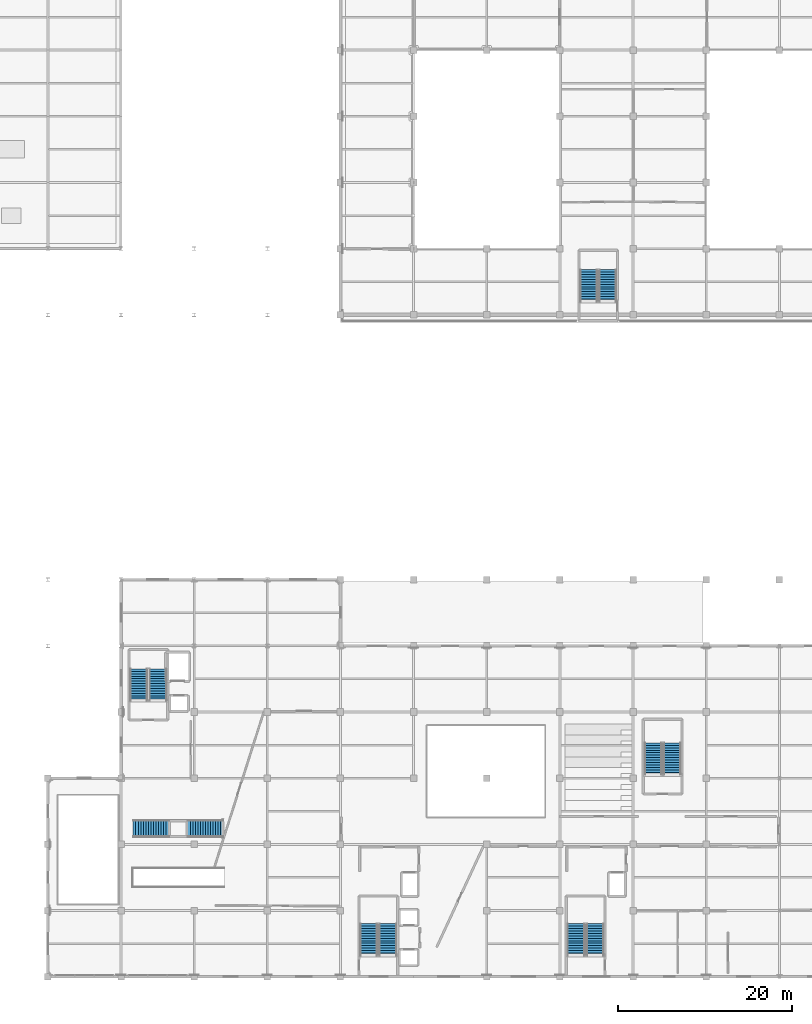
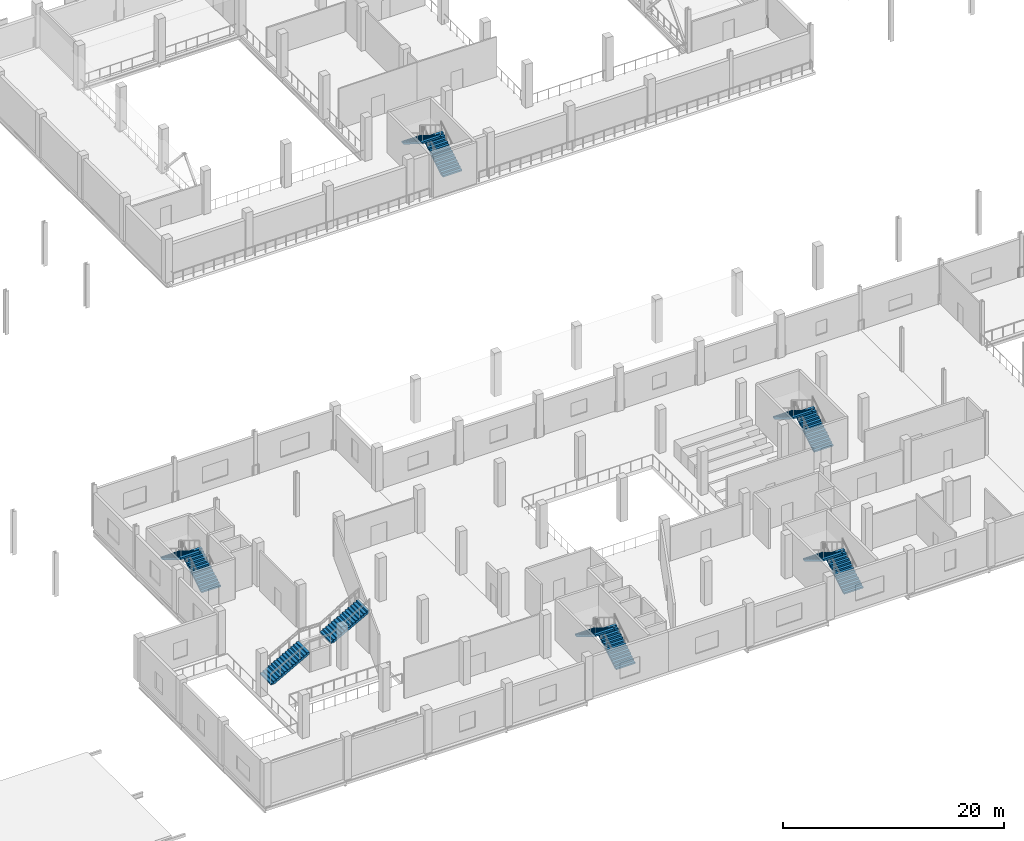
# One storey, part 31 of 51: 12 stair flights, 6 elements without a shape of their own.
"""IFC4 building model written with IfcOpenShell, lengths in metres."""

from ifc_helpers import new_model, si_unit, direction, frame, origin, place, context, subcontext, project, spatial, polyline, outline, extrude, material, type_object, element, aggregate, save


model = new_model("IFC4")

# Units and contexts
model_context = context("Model", 3, precision=1e-05, world=origin(), true_north=direction((0.0, 1.0)))
body_context = subcontext(model_context, "Body", "Model", "MODEL_VIEW")
ifc_project = project(units=[si_unit("LENGTHUNIT", "METRE"), si_unit("AREAUNIT", "SQUARE_METRE"), si_unit("VOLUMEUNIT", "CUBIC_METRE"), si_unit("PLANEANGLEUNIT", "RADIAN"), si_unit("MASSUNIT", "GRAM", prefix="KILO")], contexts=[model_context])

# Site, building, storey
site_placement = place(None, origin())
site = spatial("IfcSite", under=ifc_project, at=site_placement, CompositionType="ELEMENT")
building_placement = place(site_placement, origin())
building = spatial("IfcBuilding", under=site, at=building_placement, Name="Zuvorla Pavilion Media Centre", CompositionType="ELEMENT")
storey_placement = place(building_placement, frame((0.0, 0.0, 4.800048828125)))
storey = spatial("IfcBuildingStorey", under=building, at=storey_placement, Name="L01", CompositionType="ELEMENT", Elevation=4.800048828125)

# Stair, stair flights
ifc_material_1 = material(Name="Concrete C40/50", Category="concrete")
stair_type_1 = type_object("IfcStairType", Name="STR-DOG-480", PredefinedType="TWO_STRAIGHT_RUN_STAIR", material=ifc_material_1)
stair_1_placement = place(storey_placement, origin())
stair_1 = element("IfcStair", 1, at=stair_1_placement, inside=storey, type_object=stair_type_1, Name="L01 exit stair ST-01", PredefinedType="TWO_STRAIGHT_RUN_STAIR")
stair_flight_type_1 = type_object("IfcStairFlightType", Name="FLT-DOG-480", PredefinedType="STRAIGHT", material=ifc_material_1)
stair_flight_1_placement = place(storey_placement, frame((72.25, 8.449951171875, 0.0), z_axis=(0.0, 0.0, 1.0), x_axis=(0.0, 1.0, 0.0)))
stair_flight_1 = element("IfcStairFlight", 2, at=stair_flight_1_placement, type_object=stair_flight_type_1, Name="ST-01 flight 1", NumberOfRisers=14, NumberOfTreads=13, PredefinedType="STRAIGHT", RiserHeight=0.171428571, TreadLength=0.28, context=body_context, shape_type="SweptSolid", body=[
    extrude(outline(polyline([(0.0, 0.0), (0.0, 0.17138671875), (0.280029296875, 0.17138671875), (0.280029296875, 0.3427734375), (0.56005859375, 0.3427734375), (0.56005859375, 0.514404296875), (0.840087890625, 0.514404296875), (0.840087890625, 0.685791015625), (1.1201171875, 0.685791015625), (1.1201171875, 0.857177734375), (1.39990234375, 0.857177734375), (1.39990234375, 1.028564453125), (1.679931640625, 1.028564453125), (1.679931640625, 1.199951171875), (1.9599609375, 1.199951171875), (1.9599609375, 1.371337890625), (2.239990234375, 1.371337890625), (2.239990234375, 1.54296875), (2.52001953125, 1.54296875), (2.52001953125, 1.71435546875), (2.800048828125, 1.71435546875), (2.800048828125, 1.8857421875), (3.080078125, 1.8857421875), (3.080078125, 2.05712890625), (3.360107421875, 2.05712890625), (3.360107421875, 2.228515625), (3.639892578125, 2.228515625), (3.639892578125, 2.39990234375), (3.639892578125, 2.041015625), (0.30615234375, 0.0), (0.0, 0.0)])), frame((0.0, 1.0, 0.0), z_axis=(0.0, -1.0, 0.0), x_axis=(1.0, 0.0, 0.0)), (0.0, 0.0, 1.0), 2.0),
])
stair_flight_2_placement = place(storey_placement, frame((70.050048828125, 12.090087890625, 2.39990234375), z_axis=(0.0, 0.0, 1.0), x_axis=(0.0, -1.0, 0.0)))
stair_flight_2 = element("IfcStairFlight", 3, at=stair_flight_2_placement, type_object=stair_flight_type_1, Name="ST-01 flight 2", NumberOfRisers=14, NumberOfTreads=13, PredefinedType="STRAIGHT", RiserHeight=0.171428571, TreadLength=0.28, context=body_context, shape_type="SweptSolid", body=[
    extrude(outline(polyline([(0.0, 0.0), (0.0, 0.17138671875), (0.280029296875, 0.17138671875), (0.280029296875, 0.3427734375), (0.56005859375, 0.3427734375), (0.56005859375, 0.514404296875), (0.840087890625, 0.514404296875), (0.840087890625, 0.685791015625), (1.1201171875, 0.685791015625), (1.1201171875, 0.857177734375), (1.39990234375, 0.857177734375), (1.39990234375, 1.028564453125), (1.679931640625, 1.028564453125), (1.679931640625, 1.199951171875), (1.9599609375, 1.199951171875), (1.9599609375, 1.371337890625), (2.239990234375, 1.371337890625), (2.239990234375, 1.54296875), (2.52001953125, 1.54296875), (2.52001953125, 1.71435546875), (2.800048828125, 1.71435546875), (2.800048828125, 1.8857421875), (3.080078125, 1.8857421875), (3.080078125, 2.05712890625), (3.360107421875, 2.05712890625), (3.360107421875, 2.228515625), (3.639892578125, 2.228515625), (3.639892578125, 2.39990234375), (3.639892578125, 2.041015625), (0.30615234375, 0.0), (0.0, 0.0)])), frame((0.0, 1.0, 0.0), z_axis=(0.0, -1.0, 0.0), x_axis=(1.0, 0.0, 0.0)), (0.0, 0.0, 1.0), 2.0),
])
aggregate(stair_1, [stair_flight_1, stair_flight_2])

stair_2_placement = place(storey_placement, origin())
stair_2 = element("IfcStair", 4, at=stair_2_placement, inside=storey, type_object=stair_type_1, Name="L01 exit stair ST-02", PredefinedType="TWO_STRAIGHT_RUN_STAIR")
stair_flight_3_placement = place(storey_placement, frame((96.050048828125, 8.449951171875, 0.0), z_axis=(0.0, 0.0, 1.0), x_axis=(0.0, 1.0, 0.0)))
stair_flight_3 = element("IfcStairFlight", 5, at=stair_flight_3_placement, type_object=stair_flight_type_1, Name="ST-02 flight 1", NumberOfRisers=14, NumberOfTreads=13, PredefinedType="STRAIGHT", RiserHeight=0.171428571, TreadLength=0.28, context=body_context, shape_type="SweptSolid", body=[
    extrude(outline(polyline([(0.0, 0.0), (0.0, 0.17138671875), (0.280029296875, 0.17138671875), (0.280029296875, 0.3427734375), (0.56005859375, 0.3427734375), (0.56005859375, 0.514404296875), (0.840087890625, 0.514404296875), (0.840087890625, 0.685791015625), (1.1201171875, 0.685791015625), (1.1201171875, 0.857177734375), (1.39990234375, 0.857177734375), (1.39990234375, 1.028564453125), (1.679931640625, 1.028564453125), (1.679931640625, 1.199951171875), (1.9599609375, 1.199951171875), (1.9599609375, 1.371337890625), (2.239990234375, 1.371337890625), (2.239990234375, 1.54296875), (2.52001953125, 1.54296875), (2.52001953125, 1.71435546875), (2.800048828125, 1.71435546875), (2.800048828125, 1.8857421875), (3.080078125, 1.8857421875), (3.080078125, 2.05712890625), (3.360107421875, 2.05712890625), (3.360107421875, 2.228515625), (3.639892578125, 2.228515625), (3.639892578125, 2.39990234375), (3.639892578125, 2.041015625), (0.30615234375, 0.0), (0.0, 0.0)])), frame((0.0, 1.0, 0.0), z_axis=(0.0, -1.0, 0.0), x_axis=(1.0, 0.0, 0.0)), (0.0, 0.0, 1.0), 2.0),
])
stair_flight_4_placement = place(storey_placement, frame((93.85009765625, 12.090087890625, 2.39990234375), z_axis=(0.0, 0.0, 1.0), x_axis=(0.0, -1.0, 0.0)))
stair_flight_4 = element("IfcStairFlight", 6, at=stair_flight_4_placement, type_object=stair_flight_type_1, Name="ST-02 flight 2", NumberOfRisers=14, NumberOfTreads=13, PredefinedType="STRAIGHT", RiserHeight=0.171428571, TreadLength=0.28, context=body_context, shape_type="SweptSolid", body=[
    extrude(outline(polyline([(0.0, 0.0), (0.0, 0.17138671875), (0.280029296875, 0.17138671875), (0.280029296875, 0.3427734375), (0.56005859375, 0.3427734375), (0.56005859375, 0.514404296875), (0.840087890625, 0.514404296875), (0.840087890625, 0.685791015625), (1.1201171875, 0.685791015625), (1.1201171875, 0.857177734375), (1.39990234375, 0.857177734375), (1.39990234375, 1.028564453125), (1.679931640625, 1.028564453125), (1.679931640625, 1.199951171875), (1.9599609375, 1.199951171875), (1.9599609375, 1.371337890625), (2.239990234375, 1.371337890625), (2.239990234375, 1.54296875), (2.52001953125, 1.54296875), (2.52001953125, 1.71435546875), (2.800048828125, 1.71435546875), (2.800048828125, 1.8857421875), (3.080078125, 1.8857421875), (3.080078125, 2.05712890625), (3.360107421875, 2.05712890625), (3.360107421875, 2.228515625), (3.639892578125, 2.228515625), (3.639892578125, 2.39990234375), (3.639892578125, 2.041015625), (0.30615234375, 0.0), (0.0, 0.0)])), frame((0.0, 1.0, 0.0), z_axis=(0.0, -1.0, 0.0), x_axis=(1.0, 0.0, 0.0)), (0.0, 0.0, 1.0), 2.0),
])
aggregate(stair_2, [stair_flight_3, stair_flight_4])

stair_3_placement = place(storey_placement, origin())
stair_3 = element("IfcStair", 7, at=stair_3_placement, inside=storey, type_object=stair_type_1, Name="L01 exit stair ST-03", PredefinedType="TWO_STRAIGHT_RUN_STAIR")
stair_flight_5_placement = place(storey_placement, frame((45.85009765625, 37.699951171875, 0.0), z_axis=(0.0, 0.0, 1.0), x_axis=(0.0, 1.0, 0.0)))
stair_flight_5 = element("IfcStairFlight", 8, at=stair_flight_5_placement, type_object=stair_flight_type_1, Name="ST-03 flight 1", NumberOfRisers=14, NumberOfTreads=13, PredefinedType="STRAIGHT", RiserHeight=0.171428571, TreadLength=0.28, context=body_context, shape_type="SweptSolid", body=[
    extrude(outline(polyline([(0.0, 0.0), (0.0, 0.17138671875), (0.280029296875, 0.17138671875), (0.280029296875, 0.3427734375), (0.56005859375, 0.3427734375), (0.56005859375, 0.514404296875), (0.840087890625, 0.514404296875), (0.840087890625, 0.685791015625), (1.1201171875, 0.685791015625), (1.1201171875, 0.857177734375), (1.39990234375, 0.857177734375), (1.39990234375, 1.028564453125), (1.679931640625, 1.028564453125), (1.679931640625, 1.199951171875), (1.9599609375, 1.199951171875), (1.9599609375, 1.371337890625), (2.239990234375, 1.371337890625), (2.239990234375, 1.54296875), (2.52001953125, 1.54296875), (2.52001953125, 1.71435546875), (2.800048828125, 1.71435546875), (2.800048828125, 1.8857421875), (3.080078125, 1.8857421875), (3.080078125, 2.05712890625), (3.360107421875, 2.05712890625), (3.360107421875, 2.228515625), (3.639892578125, 2.228515625), (3.639892578125, 2.39990234375), (3.639892578125, 2.041015625), (0.30615234375, 0.0), (0.0, 0.0)])), frame((0.0, 1.0, 0.0), z_axis=(0.0, -1.0, 0.0), x_axis=(1.0, 0.0, 0.0)), (0.0, 0.0, 1.0), 2.0),
])
stair_flight_6_placement = place(storey_placement, frame((43.64990234375, 41.340087890625, 2.39990234375), z_axis=(0.0, 0.0, 1.0), x_axis=(0.0, -1.0, 0.0)))
stair_flight_6 = element("IfcStairFlight", 9, at=stair_flight_6_placement, type_object=stair_flight_type_1, Name="ST-03 flight 2", NumberOfRisers=14, NumberOfTreads=13, PredefinedType="STRAIGHT", RiserHeight=0.171428571, TreadLength=0.28, context=body_context, shape_type="SweptSolid", body=[
    extrude(outline(polyline([(0.0, 0.0), (0.0, 0.17138671875), (0.280029296875, 0.17138671875), (0.280029296875, 0.3427734375), (0.56005859375, 0.3427734375), (0.56005859375, 0.514404296875), (0.840087890625, 0.514404296875), (0.840087890625, 0.685791015625), (1.1201171875, 0.685791015625), (1.1201171875, 0.857177734375), (1.39990234375, 0.857177734375), (1.39990234375, 1.028564453125), (1.679931640625, 1.028564453125), (1.679931640625, 1.199951171875), (1.9599609375, 1.199951171875), (1.9599609375, 1.371337890625), (2.239990234375, 1.371337890625), (2.239990234375, 1.54296875), (2.52001953125, 1.54296875), (2.52001953125, 1.71435546875), (2.800048828125, 1.71435546875), (2.800048828125, 1.8857421875), (3.080078125, 1.8857421875), (3.080078125, 2.05712890625), (3.360107421875, 2.05712890625), (3.360107421875, 2.228515625), (3.639892578125, 2.228515625), (3.639892578125, 2.39990234375), (3.639892578125, 2.041015625), (0.30615234375, 0.0), (0.0, 0.0)])), frame((0.0, 1.0, 0.0), z_axis=(0.0, -1.0, 0.0), x_axis=(1.0, 0.0, 0.0)), (0.0, 0.0, 1.0), 2.0),
])
aggregate(stair_3, [stair_flight_5, stair_flight_6])

stair_4_placement = place(storey_placement, origin())
stair_4 = element("IfcStair", 10, at=stair_4_placement, inside=storey, type_object=stair_type_1, Name="L01 exit stair ST-04", PredefinedType="TWO_STRAIGHT_RUN_STAIR")
stair_flight_7_placement = place(storey_placement, frame((104.89990234375, 29.199951171875, 0.0), z_axis=(0.0, 0.0, 1.0), x_axis=(0.0, 1.0, 0.0)))
stair_flight_7 = element("IfcStairFlight", 11, at=stair_flight_7_placement, type_object=stair_flight_type_1, Name="ST-04 flight 1", NumberOfRisers=14, NumberOfTreads=13, PredefinedType="STRAIGHT", RiserHeight=0.171428571, TreadLength=0.28, context=body_context, shape_type="SweptSolid", body=[
    extrude(outline(polyline([(0.0, 0.0), (0.0, 0.17138671875), (0.280029296875, 0.17138671875), (0.280029296875, 0.3427734375), (0.56005859375, 0.3427734375), (0.56005859375, 0.514404296875), (0.840087890625, 0.514404296875), (0.840087890625, 0.685791015625), (1.1201171875, 0.685791015625), (1.1201171875, 0.857177734375), (1.39990234375, 0.857177734375), (1.39990234375, 1.028564453125), (1.679931640625, 1.028564453125), (1.679931640625, 1.199951171875), (1.9599609375, 1.199951171875), (1.9599609375, 1.371337890625), (2.239990234375, 1.371337890625), (2.239990234375, 1.54296875), (2.52001953125, 1.54296875), (2.52001953125, 1.71435546875), (2.800048828125, 1.71435546875), (2.800048828125, 1.8857421875), (3.080078125, 1.8857421875), (3.080078125, 2.05712890625), (3.360107421875, 2.05712890625), (3.360107421875, 2.228515625), (3.639892578125, 2.228515625), (3.639892578125, 2.39990234375), (3.639892578125, 2.041015625), (0.30615234375, 0.0), (0.0, 0.0)])), frame((0.0, 1.0, 0.0), z_axis=(0.0, -1.0, 0.0), x_axis=(1.0, 0.0, 0.0)), (0.0, 0.0, 1.0), 2.0),
])
stair_flight_8_placement = place(storey_placement, frame((102.699951171875, 32.840087890625, 2.39990234375), z_axis=(0.0, 0.0, 1.0), x_axis=(0.0, -1.0, 0.0)))
stair_flight_8 = element("IfcStairFlight", 12, at=stair_flight_8_placement, type_object=stair_flight_type_1, Name="ST-04 flight 2", NumberOfRisers=14, NumberOfTreads=13, PredefinedType="STRAIGHT", RiserHeight=0.171428571, TreadLength=0.28, context=body_context, shape_type="SweptSolid", body=[
    extrude(outline(polyline([(0.0, 0.0), (0.0, 0.17138671875), (0.280029296875, 0.17138671875), (0.280029296875, 0.3427734375), (0.56005859375, 0.3427734375), (0.56005859375, 0.514404296875), (0.840087890625, 0.514404296875), (0.840087890625, 0.685791015625), (1.1201171875, 0.685791015625), (1.1201171875, 0.857177734375), (1.39990234375, 0.857177734375), (1.39990234375, 1.028564453125), (1.679931640625, 1.028564453125), (1.679931640625, 1.199951171875), (1.9599609375, 1.199951171875), (1.9599609375, 1.371337890625), (2.239990234375, 1.371337890625), (2.239990234375, 1.54296875), (2.52001953125, 1.54296875), (2.52001953125, 1.71435546875), (2.800048828125, 1.71435546875), (2.800048828125, 1.8857421875), (3.080078125, 1.8857421875), (3.080078125, 2.05712890625), (3.360107421875, 2.05712890625), (3.360107421875, 2.228515625), (3.639892578125, 2.228515625), (3.639892578125, 2.39990234375), (3.639892578125, 2.041015625), (0.30615234375, 0.0), (0.0, 0.0)])), frame((0.0, 1.0, 0.0), z_axis=(0.0, -1.0, 0.0), x_axis=(1.0, 0.0, 0.0)), (0.0, 0.0, 1.0), 2.0),
])
aggregate(stair_4, [stair_flight_7, stair_flight_8])

stair_5_placement = place(storey_placement, origin())
stair_5 = element("IfcStair", 13, at=stair_5_placement, inside=storey, type_object=stair_type_1, Name="L01 exit stair ST-05", PredefinedType="TWO_STRAIGHT_RUN_STAIR")
stair_flight_9_placement = place(storey_placement, frame((97.5, 83.550048828125, 0.0), z_axis=(0.0, 0.0, 1.0), x_axis=(0.0, 1.0, 0.0)))
stair_flight_9 = element("IfcStairFlight", 14, at=stair_flight_9_placement, type_object=stair_flight_type_1, Name="ST-05 flight 1", NumberOfRisers=14, NumberOfTreads=13, PredefinedType="STRAIGHT", RiserHeight=0.171428571, TreadLength=0.28, context=body_context, shape_type="SweptSolid", body=[
    extrude(outline(polyline([(0.0, 0.0), (0.0, 0.17138671875), (0.280029296875, 0.17138671875), (0.280029296875, 0.3427734375), (0.56005859375, 0.3427734375), (0.56005859375, 0.514404296875), (0.840087890625, 0.514404296875), (0.840087890625, 0.685791015625), (1.1201171875, 0.685791015625), (1.1201171875, 0.857177734375), (1.39990234375, 0.857177734375), (1.39990234375, 1.028564453125), (1.679931640625, 1.028564453125), (1.679931640625, 1.199951171875), (1.9599609375, 1.199951171875), (1.9599609375, 1.371337890625), (2.239990234375, 1.371337890625), (2.239990234375, 1.54296875), (2.52001953125, 1.54296875), (2.52001953125, 1.71435546875), (2.800048828125, 1.71435546875), (2.800048828125, 1.8857421875), (3.080078125, 1.8857421875), (3.080078125, 2.05712890625), (3.360107421875, 2.05712890625), (3.360107421875, 2.228515625), (3.639892578125, 2.228515625), (3.639892578125, 2.39990234375), (3.639892578125, 2.041015625), (0.30615234375, 0.0), (0.0, 0.0)])), frame((0.0, 1.0, 0.0), z_axis=(0.0, -1.0, 0.0), x_axis=(1.0, 0.0, 0.0)), (0.0, 0.0, 1.0), 2.0),
])
stair_flight_10_placement = place(storey_placement, frame((95.300048828125, 87.18994140625, 2.39990234375), z_axis=(0.0, 0.0, 1.0), x_axis=(0.0, -1.0, 0.0)))
stair_flight_10 = element("IfcStairFlight", 15, at=stair_flight_10_placement, type_object=stair_flight_type_1, Name="ST-05 flight 2", NumberOfRisers=14, NumberOfTreads=13, PredefinedType="STRAIGHT", RiserHeight=0.171428571, TreadLength=0.28, context=body_context, shape_type="SweptSolid", body=[
    extrude(outline(polyline([(0.0, 0.0), (0.0, 0.17138671875), (0.280029296875, 0.17138671875), (0.280029296875, 0.3427734375), (0.56005859375, 0.3427734375), (0.56005859375, 0.514404296875), (0.840087890625, 0.514404296875), (0.840087890625, 0.685791015625), (1.1201171875, 0.685791015625), (1.1201171875, 0.857177734375), (1.39990234375, 0.857177734375), (1.39990234375, 1.028564453125), (1.679931640625, 1.028564453125), (1.679931640625, 1.199951171875), (1.9599609375, 1.199951171875), (1.9599609375, 1.371337890625), (2.239990234375, 1.371337890625), (2.239990234375, 1.54296875), (2.52001953125, 1.54296875), (2.52001953125, 1.71435546875), (2.800048828125, 1.71435546875), (2.800048828125, 1.8857421875), (3.080078125, 1.8857421875), (3.080078125, 2.05712890625), (3.360107421875, 2.05712890625), (3.360107421875, 2.228515625), (3.639892578125, 2.228515625), (3.639892578125, 2.39990234375), (3.639892578125, 2.041015625), (0.30615234375, 0.0), (0.0, 0.0)])), frame((0.0, 1.0, 0.0), z_axis=(0.0, -1.0, 0.0), x_axis=(1.0, 0.0, 0.0)), (0.0, 0.0, 1.0), 2.0),
])
aggregate(stair_5, [stair_flight_9, stair_flight_10])

ifc_material_2 = material(Name="Precast concrete C40/50", Category="concrete")
stair_type_2 = type_object("IfcStairType", Name="STR-FEA-08", PredefinedType="STRAIGHT_RUN_STAIR", material=ifc_material_2)
stair_6_placement = place(storey_placement, origin())
stair_6 = element("IfcStair", 16, at=stair_6_placement, inside=storey, type_object=stair_type_2, Name="L01 feature stair ST-08", PredefinedType="STRAIGHT_RUN_STAIR")
stair_flight_type_2 = type_object("IfcStairFlightType", Name="FLT-FEA-08", PredefinedType="STRAIGHT", material=ifc_material_2)
stair_flight_11_placement = place(storey_placement, frame((43.0, 23.0, 0.0), z_axis=(0.0, 0.0, 1.0), x_axis=(1.0, 0.0, 0.0)))
stair_flight_11 = element("IfcStairFlight", 17, at=stair_flight_11_placement, type_object=stair_flight_type_2, Name="ST-08 flight 1", NumberOfRisers=15, NumberOfTreads=14, PredefinedType="STRAIGHT", RiserHeight=0.16, TreadLength=0.29, context=body_context, shape_type="SweptSolid", body=[
    extrude(outline(polyline([(0.0, 0.0), (0.0, 0.159912109375), (0.2900390625, 0.159912109375), (0.2900390625, 0.320068359375), (0.580078125, 0.320068359375), (0.580078125, 0.47998046875), (0.8701171875, 0.47998046875), (0.8701171875, 0.639892578125), (1.159912109375, 0.639892578125), (1.159912109375, 0.800048828125), (1.449951171875, 0.800048828125), (1.449951171875, 0.9599609375), (1.739990234375, 0.9599609375), (1.739990234375, 1.1201171875), (2.030029296875, 1.1201171875), (2.030029296875, 1.280029296875), (2.320068359375, 1.280029296875), (2.320068359375, 1.43994140625), (2.610107421875, 1.43994140625), (2.610107421875, 1.60009765625), (2.89990234375, 1.60009765625), (2.89990234375, 1.760009765625), (3.18994140625, 1.760009765625), (3.18994140625, 1.919921875), (3.47998046875, 1.919921875), (3.47998046875, 2.080078125), (3.77001953125, 2.080078125), (3.77001953125, 2.239990234375), (4.06005859375, 2.239990234375), (4.06005859375, 2.39990234375), (4.06005859375, 2.034423828125), (0.37255859375, 0.0), (0.0, 0.0)])), frame((0.0, 1.0, 0.0), z_axis=(0.0, -1.0, 0.0), x_axis=(1.0, 0.0, 0.0)), (0.0, 0.0, 1.0), 2.0),
])
stair_flight_12_placement = place(storey_placement, frame((49.260009765625, 23.0, 2.39990234375), z_axis=(0.0, 0.0, 1.0), x_axis=(1.0, 0.0, 0.0)))
stair_flight_12 = element("IfcStairFlight", 18, at=stair_flight_12_placement, type_object=stair_flight_type_2, Name="ST-08 flight 2", NumberOfRisers=15, NumberOfTreads=14, PredefinedType="STRAIGHT", RiserHeight=0.16, TreadLength=0.29, context=body_context, shape_type="SweptSolid", body=[
    extrude(outline(polyline([(0.0, 0.0), (0.0, 0.159912109375), (0.2900390625, 0.159912109375), (0.2900390625, 0.320068359375), (0.580078125, 0.320068359375), (0.580078125, 0.47998046875), (0.8701171875, 0.47998046875), (0.8701171875, 0.639892578125), (1.159912109375, 0.639892578125), (1.159912109375, 0.800048828125), (1.449951171875, 0.800048828125), (1.449951171875, 0.9599609375), (1.739990234375, 0.9599609375), (1.739990234375, 1.1201171875), (2.030029296875, 1.1201171875), (2.030029296875, 1.280029296875), (2.320068359375, 1.280029296875), (2.320068359375, 1.43994140625), (2.610107421875, 1.43994140625), (2.610107421875, 1.60009765625), (2.89990234375, 1.60009765625), (2.89990234375, 1.760009765625), (3.18994140625, 1.760009765625), (3.18994140625, 1.919921875), (3.47998046875, 1.919921875), (3.47998046875, 2.080078125), (3.77001953125, 2.080078125), (3.77001953125, 2.239990234375), (4.06005859375, 2.239990234375), (4.06005859375, 2.39990234375), (4.06005859375, 2.034423828125), (0.37255859375, 0.0), (0.0, 0.0)])), frame((0.0, 1.0, 0.0), z_axis=(0.0, -1.0, 0.0), x_axis=(1.0, 0.0, 0.0)), (0.0, 0.0, 1.0), 2.0),
])
aggregate(stair_6, [stair_flight_11, stair_flight_12])

save(model, "model.ifc")
